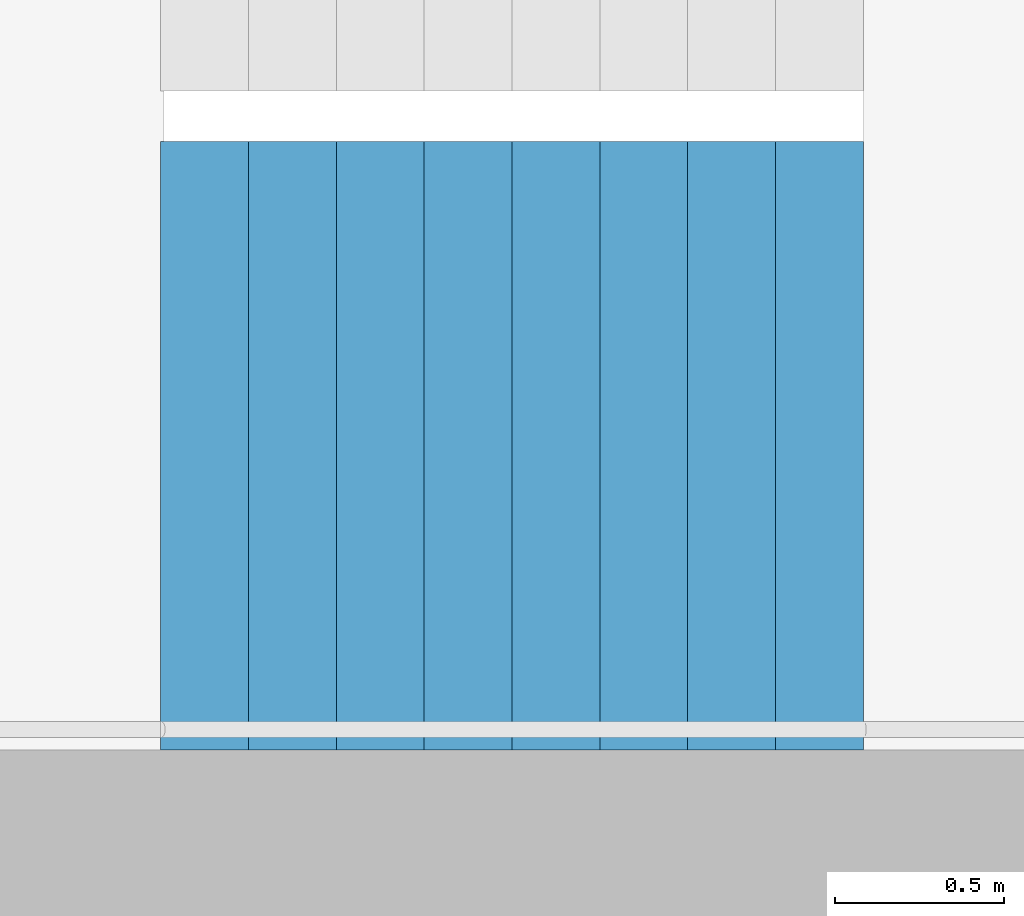
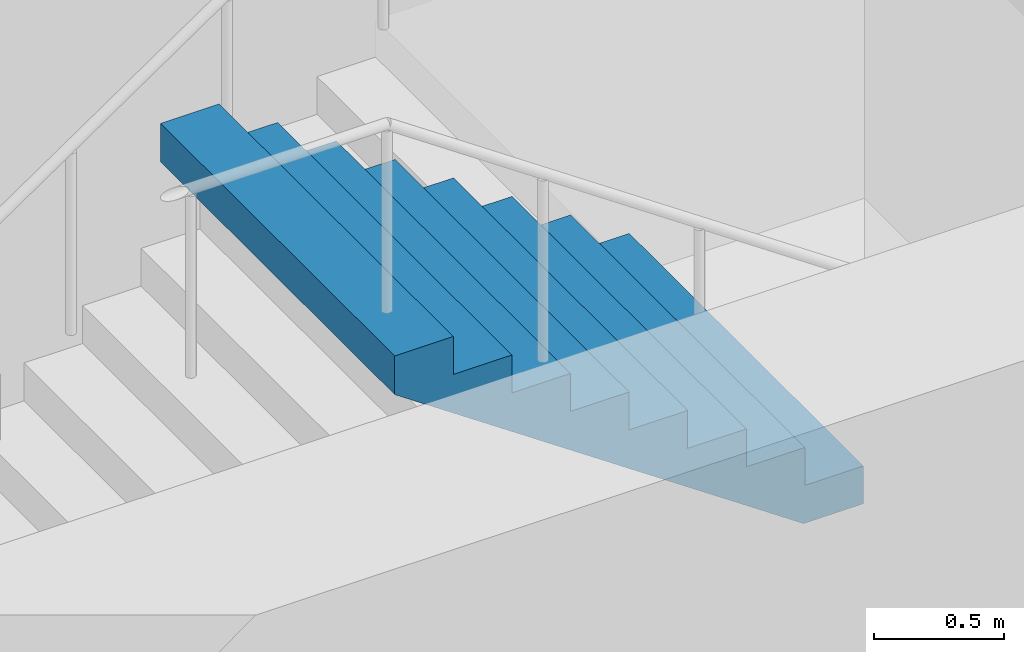
# One storey, part 22 of 26: 1 stair flight, 1 element without a shape of its own.
"""IFC4 building model written with IfcOpenShell, lengths in metres."""

from ifc_helpers import new_model, si_unit, direction, frame, origin, place, context, subcontext, project, spatial, triangles, material, type_object, element, aggregate, save


model = new_model("IFC4")

# Units and contexts
model_context = context("Model", 3, precision=1e-05, world=origin(), true_north=direction((0.0, 1.0)))
body_context = subcontext(model_context, "Body", "Model", "MODEL_VIEW")
ifc_project = project(units=[si_unit("LENGTHUNIT", "METRE"), si_unit("AREAUNIT", "SQUARE_METRE"), si_unit("VOLUMEUNIT", "CUBIC_METRE"), si_unit("PLANEANGLEUNIT", "RADIAN"), si_unit("MASSUNIT", "GRAM", prefix="KILO")], contexts=[model_context])

# Site, building, storey
site_placement = place(None, origin())
site = spatial("IfcSite", under=ifc_project, at=site_placement, CompositionType="ELEMENT")
building_placement = place(site_placement, origin())
building = spatial("IfcBuilding", under=site, at=building_placement, Name="Hakoniwa Tower and Hamabe Station Hall", CompositionType="ELEMENT")
storey_placement = place(building_placement, frame((0.0, 0.0, 215.39990234375)))
storey = spatial("IfcBuildingStorey", under=building, at=storey_placement, Name="L61", CompositionType="ELEMENT", Elevation=215.39990234375)

# Stair, stair flight
ifc_material_1 = material(Name="Concrete C40", Category="concrete")
stair_type = type_object("IfcStairType", Name="ESCAPE STAIR 1800", PredefinedType="HALF_TURN_STAIR", material=ifc_material_1)
stair_placement = place(storey_placement, origin())
stair = element("IfcStair", 1, at=stair_placement, inside=storey, type_object=stair_type, Name="Escape stair ST-4 L61", PredefinedType="HALF_TURN_STAIR")
ifc_material_2 = material(Name="Concrete C40", Category="concrete")
stair_flight_type = type_object("IfcStairFlightType", Name="STAIR FLIGHT 1800", PredefinedType="STRAIGHT", material=ifc_material_2)
stair_flight_placement = place(storey_placement, frame((25.47998046875, -6.60009765625, 1.60009765625), z_axis=(0.0, 0.0, 1.0), x_axis=(-1.0, 0.0, 0.0)))
stair_flight = element("IfcStairFlight", 2, at=stair_flight_placement, type_object=stair_flight_type, Name="ST-4 flight 2", NumberOfRisers=9, NumberOfTreads=8, PredefinedType="STRAIGHT", RiserHeight=0.177777778, TreadLength=0.26, context=body_context, shape_type="Tessellation", body=[
    triangles([(0.0, 0.89990234375, 0.0), (0.260009765625, 0.89990234375, 0.0), (0.265625, 0.89990234375, 0.0), (0.52001953125, 0.89990234375, 0.174072265625), (0.780029296875, 0.89990234375, 0.351806640625), (1.0400390625, 0.89990234375, 0.529541015625), (1.300048828125, 0.89990234375, 0.707275390625), (1.56005859375, 0.89990234375, 0.885009765625), (1.820068359375, 0.89990234375, 1.062744140625), (2.080078125, 0.89990234375, 1.24072265625), (2.080078125, 0.89990234375, 1.422119140625), (1.820068359375, 0.89990234375, 1.422119140625), (1.820068359375, 0.89990234375, 1.244384765625), (1.56005859375, 0.89990234375, 1.244384765625), (1.56005859375, 0.89990234375, 1.066650390625), (1.300048828125, 0.89990234375, 1.066650390625), (1.300048828125, 0.89990234375, 0.888916015625), (1.0400390625, 0.89990234375, 0.888916015625), (1.0400390625, 0.89990234375, 0.711181640625), (0.780029296875, 0.89990234375, 0.711181640625), (0.780029296875, 0.89990234375, 0.533447265625), (0.52001953125, 0.89990234375, 0.533447265625), (0.52001953125, 0.89990234375, 0.35546875), (0.265625, 0.89990234375, 0.35546875), (0.260009765625, 0.89990234375, 0.35546875), (0.260009765625, 0.89990234375, 0.177734375), (0.0, 0.89990234375, 0.177734375), (0.0, 0.06005859375, 0.0), (0.260009765625, 0.06005859375, 0.0), (0.265625, 0.06005859375, 0.0), (0.52001953125, 0.06005859375, 0.174072265625), (0.780029296875, 0.06005859375, 0.351806640625), (1.0400390625, 0.06005859375, 0.529541015625), (1.300048828125, 0.06005859375, 0.707275390625), (1.56005859375, 0.06005859375, 0.885009765625), (1.820068359375, 0.06005859375, 1.062744140625), (2.080078125, 0.06005859375, 1.24072265625), (2.080078125, 0.06005859375, 1.422119140625), (1.820068359375, 0.06005859375, 1.422119140625), (1.820068359375, 0.06005859375, 1.244384765625), (1.56005859375, 0.06005859375, 1.244384765625), (1.56005859375, 0.06005859375, 1.066650390625), (1.300048828125, 0.06005859375, 1.066650390625), (1.300048828125, 0.06005859375, 0.888916015625), (1.0400390625, 0.06005859375, 0.888916015625), (1.0400390625, 0.06005859375, 0.711181640625), (0.780029296875, 0.06005859375, 0.711181640625), (0.780029296875, 0.06005859375, 0.533447265625), (0.52001953125, 0.06005859375, 0.533447265625), (0.52001953125, 0.06005859375, 0.35546875), (0.265625, 0.06005859375, 0.35546875), (0.260009765625, 0.06005859375, 0.35546875), (0.260009765625, 0.06005859375, 0.177734375), (0.0, 0.06005859375, 0.177734375), (0.0, 0.04296875, 0.0), (0.260009765625, 0.04296875, 0.0), (0.265625, 0.04296875, 0.0), (0.52001953125, 0.04296875, 0.174072265625), (0.780029296875, 0.04296875, 0.351806640625), (1.0400390625, 0.04296875, 0.529541015625), (1.300048828125, 0.04296875, 0.707275390625), (1.56005859375, 0.04296875, 0.885009765625), (1.820068359375, 0.04296875, 1.062744140625), (2.080078125, 0.04296875, 1.24072265625), (2.080078125, 0.04296875, 1.422119140625), (1.820068359375, 0.04296875, 1.422119140625), (1.820068359375, 0.04296875, 1.244384765625), (1.56005859375, 0.04296875, 1.244384765625), (1.56005859375, 0.04296875, 1.066650390625), (1.300048828125, 0.04296875, 1.066650390625), (1.300048828125, 0.04296875, 0.888916015625), (1.0400390625, 0.04296875, 0.888916015625), (1.0400390625, 0.04296875, 0.711181640625), (0.780029296875, 0.04296875, 0.711181640625), (0.780029296875, 0.04296875, 0.533447265625), (0.52001953125, 0.04296875, 0.533447265625), (0.52001953125, 0.04296875, 0.35546875), (0.265625, 0.04296875, 0.35546875), (0.260009765625, 0.04296875, 0.35546875), (0.260009765625, 0.04296875, 0.177734375), (0.0, 0.04296875, 0.177734375), (0.0, 0.025634765625, 0.0), (0.260009765625, 0.025634765625, 0.0), (0.265625, 0.025634765625, 0.0), (0.52001953125, 0.025634765625, 0.174072265625), (0.780029296875, 0.025634765625, 0.351806640625), (1.0400390625, 0.025634765625, 0.529541015625), (1.300048828125, 0.025634765625, 0.707275390625), (1.56005859375, 0.025634765625, 0.885009765625), (1.820068359375, 0.025634765625, 1.062744140625), (2.080078125, 0.025634765625, 1.24072265625), (2.080078125, 0.025634765625, 1.422119140625), (1.820068359375, 0.025634765625, 1.422119140625), (1.820068359375, 0.025634765625, 1.244384765625), (1.56005859375, 0.025634765625, 1.244384765625), (1.56005859375, 0.025634765625, 1.066650390625), (1.300048828125, 0.025634765625, 1.066650390625), (1.300048828125, 0.025634765625, 0.888916015625), (1.0400390625, 0.025634765625, 0.888916015625), (1.0400390625, 0.025634765625, 0.711181640625), (0.780029296875, 0.025634765625, 0.711181640625), (0.780029296875, 0.025634765625, 0.533447265625), (0.52001953125, 0.025634765625, 0.533447265625), (0.52001953125, 0.025634765625, 0.35546875), (0.265625, 0.025634765625, 0.35546875), (0.260009765625, 0.025634765625, 0.35546875), (0.260009765625, 0.025634765625, 0.177734375), (0.0, 0.025634765625, 0.177734375), (0.0, 0.008544921875, 0.0), (0.260009765625, 0.008544921875, 0.0), (0.265625, 0.008544921875, 0.0), (0.52001953125, 0.008544921875, 0.174072265625), (0.780029296875, 0.008544921875, 0.351806640625), (1.0400390625, 0.008544921875, 0.529541015625), (1.300048828125, 0.008544921875, 0.707275390625), (1.56005859375, 0.008544921875, 0.885009765625), (1.820068359375, 0.008544921875, 1.062744140625), (2.080078125, 0.008544921875, 1.24072265625), (2.080078125, 0.008544921875, 1.422119140625), (1.820068359375, 0.008544921875, 1.422119140625), (1.820068359375, 0.008544921875, 1.244384765625), (1.56005859375, 0.008544921875, 1.244384765625), (1.56005859375, 0.008544921875, 1.066650390625), (1.300048828125, 0.008544921875, 1.066650390625), (1.300048828125, 0.008544921875, 0.888916015625), (1.0400390625, 0.008544921875, 0.888916015625), (1.0400390625, 0.008544921875, 0.711181640625), (0.780029296875, 0.008544921875, 0.711181640625), (0.780029296875, 0.008544921875, 0.533447265625), (0.52001953125, 0.008544921875, 0.533447265625), (0.52001953125, 0.008544921875, 0.35546875), (0.265625, 0.008544921875, 0.35546875), (0.260009765625, 0.008544921875, 0.35546875), (0.260009765625, 0.008544921875, 0.177734375), (0.0, 0.008544921875, 0.177734375), (0.0, -0.008544921875, 0.0), (0.260009765625, -0.008544921875, 0.0), (0.265625, -0.008544921875, 0.0), (0.52001953125, -0.008544921875, 0.174072265625), (0.780029296875, -0.008544921875, 0.351806640625), (1.0400390625, -0.008544921875, 0.529541015625), (1.300048828125, -0.008544921875, 0.707275390625), (1.56005859375, -0.008544921875, 0.885009765625), (1.820068359375, -0.008544921875, 1.062744140625), (2.080078125, -0.008544921875, 1.24072265625), (2.080078125, -0.008544921875, 1.422119140625), (1.820068359375, -0.008544921875, 1.422119140625), (1.820068359375, -0.008544921875, 1.244384765625), (1.56005859375, -0.008544921875, 1.244384765625), (1.56005859375, -0.008544921875, 1.066650390625), (1.300048828125, -0.008544921875, 1.066650390625), (1.300048828125, -0.008544921875, 0.888916015625), (1.0400390625, -0.008544921875, 0.888916015625), (1.0400390625, -0.008544921875, 0.711181640625), (0.780029296875, -0.008544921875, 0.711181640625), (0.780029296875, -0.008544921875, 0.533447265625), (0.52001953125, -0.008544921875, 0.533447265625), (0.52001953125, -0.008544921875, 0.35546875), (0.265625, -0.008544921875, 0.35546875), (0.260009765625, -0.008544921875, 0.35546875), (0.260009765625, -0.008544921875, 0.177734375), (0.0, -0.008544921875, 0.177734375), (0.0, -0.025634765625, 0.0), (0.260009765625, -0.025634765625, 0.0), (0.265625, -0.025634765625, 0.0), (0.52001953125, -0.025634765625, 0.174072265625), (0.780029296875, -0.025634765625, 0.351806640625), (1.0400390625, -0.025634765625, 0.529541015625), (1.300048828125, -0.025634765625, 0.707275390625), (1.56005859375, -0.025634765625, 0.885009765625), (1.820068359375, -0.025634765625, 1.062744140625), (2.080078125, -0.025634765625, 1.24072265625), (2.080078125, -0.025634765625, 1.422119140625), (1.820068359375, -0.025634765625, 1.422119140625), (1.820068359375, -0.025634765625, 1.244384765625), (1.56005859375, -0.025634765625, 1.244384765625), (1.56005859375, -0.025634765625, 1.066650390625), (1.300048828125, -0.025634765625, 1.066650390625), (1.300048828125, -0.025634765625, 0.888916015625), (1.0400390625, -0.025634765625, 0.888916015625), (1.0400390625, -0.025634765625, 0.711181640625), (0.780029296875, -0.025634765625, 0.711181640625), (0.780029296875, -0.025634765625, 0.533447265625), (0.52001953125, -0.025634765625, 0.533447265625), (0.52001953125, -0.025634765625, 0.35546875), (0.265625, -0.025634765625, 0.35546875), (0.260009765625, -0.025634765625, 0.35546875), (0.260009765625, -0.025634765625, 0.177734375), (0.0, -0.025634765625, 0.177734375), (0.0, -0.04296875, 0.0), (0.260009765625, -0.04296875, 0.0), (0.265625, -0.04296875, 0.0), (0.52001953125, -0.04296875, 0.174072265625), (0.780029296875, -0.04296875, 0.351806640625), (1.0400390625, -0.04296875, 0.529541015625), (1.300048828125, -0.04296875, 0.707275390625), (1.56005859375, -0.04296875, 0.885009765625), (1.820068359375, -0.04296875, 1.062744140625), (2.080078125, -0.04296875, 1.24072265625), (2.080078125, -0.04296875, 1.422119140625), (1.820068359375, -0.04296875, 1.422119140625), (1.820068359375, -0.04296875, 1.244384765625), (1.56005859375, -0.04296875, 1.244384765625), (1.56005859375, -0.04296875, 1.066650390625), (1.300048828125, -0.04296875, 1.066650390625), (1.300048828125, -0.04296875, 0.888916015625), (1.0400390625, -0.04296875, 0.888916015625), (1.0400390625, -0.04296875, 0.711181640625), (0.780029296875, -0.04296875, 0.711181640625), (0.780029296875, -0.04296875, 0.533447265625), (0.52001953125, -0.04296875, 0.533447265625), (0.52001953125, -0.04296875, 0.35546875), (0.265625, -0.04296875, 0.35546875), (0.260009765625, -0.04296875, 0.35546875), (0.260009765625, -0.04296875, 0.177734375), (0.0, -0.04296875, 0.177734375), (0.0, -0.06005859375, 0.0), (0.260009765625, -0.06005859375, 0.0), (0.265625, -0.06005859375, 0.0), (0.52001953125, -0.06005859375, 0.174072265625), (0.780029296875, -0.06005859375, 0.351806640625), (1.0400390625, -0.06005859375, 0.529541015625), (1.300048828125, -0.06005859375, 0.707275390625), (1.56005859375, -0.06005859375, 0.885009765625), (1.820068359375, -0.06005859375, 1.062744140625), (2.080078125, -0.06005859375, 1.24072265625), (2.080078125, -0.06005859375, 1.422119140625), (1.820068359375, -0.06005859375, 1.422119140625), (1.820068359375, -0.06005859375, 1.244384765625), (1.56005859375, -0.06005859375, 1.244384765625), (1.56005859375, -0.06005859375, 1.066650390625), (1.300048828125, -0.06005859375, 1.066650390625), (1.300048828125, -0.06005859375, 0.888916015625), (1.0400390625, -0.06005859375, 0.888916015625), (1.0400390625, -0.06005859375, 0.711181640625), (0.780029296875, -0.06005859375, 0.711181640625), (0.780029296875, -0.06005859375, 0.533447265625), (0.52001953125, -0.06005859375, 0.533447265625), (0.52001953125, -0.06005859375, 0.35546875), (0.265625, -0.06005859375, 0.35546875), (0.260009765625, -0.06005859375, 0.35546875), (0.260009765625, -0.06005859375, 0.177734375), (0.0, -0.06005859375, 0.177734375), (0.0, -0.89990234375, 0.0), (0.260009765625, -0.89990234375, 0.0), (0.265625, -0.89990234375, 0.0), (0.52001953125, -0.89990234375, 0.174072265625), (0.780029296875, -0.89990234375, 0.351806640625), (1.0400390625, -0.89990234375, 0.529541015625), (1.300048828125, -0.89990234375, 0.707275390625), (1.56005859375, -0.89990234375, 0.885009765625), (1.820068359375, -0.89990234375, 1.062744140625), (2.080078125, -0.89990234375, 1.24072265625), (2.080078125, -0.89990234375, 1.422119140625), (1.820068359375, -0.89990234375, 1.422119140625), (1.820068359375, -0.89990234375, 1.244384765625), (1.56005859375, -0.89990234375, 1.244384765625), (1.56005859375, -0.89990234375, 1.066650390625), (1.300048828125, -0.89990234375, 1.066650390625), (1.300048828125, -0.89990234375, 0.888916015625), (1.0400390625, -0.89990234375, 0.888916015625), (1.0400390625, -0.89990234375, 0.711181640625), (0.780029296875, -0.89990234375, 0.711181640625), (0.780029296875, -0.89990234375, 0.533447265625), (0.52001953125, -0.89990234375, 0.533447265625), (0.52001953125, -0.89990234375, 0.35546875), (0.265625, -0.89990234375, 0.35546875), (0.260009765625, -0.89990234375, 0.35546875), (0.260009765625, -0.89990234375, 0.177734375), (0.0, -0.89990234375, 0.177734375)], [[2, 27, 26], [245, 269, 270], [2, 1, 27], [245, 270, 244], [3, 25, 24], [246, 267, 268], [3, 26, 25], [246, 268, 269], [3, 2, 26], [246, 269, 245], [4, 24, 23], [247, 266, 267], [4, 3, 24], [247, 267, 246], [5, 22, 21], [248, 264, 265], [5, 23, 22], [248, 265, 266], [5, 4, 23], [248, 266, 247], [6, 20, 19], [249, 262, 263], [6, 21, 20], [249, 263, 264], [6, 5, 21], [249, 264, 248], [7, 18, 17], [250, 260, 261], [7, 19, 18], [250, 261, 262], [7, 6, 19], [250, 262, 249], [8, 16, 15], [251, 258, 259], [8, 17, 16], [251, 259, 260], [8, 7, 17], [251, 260, 250], [9, 14, 13], [252, 256, 257], [9, 15, 14], [252, 257, 258], [9, 8, 15], [252, 258, 251], [10, 12, 11], [253, 254, 255], [10, 13, 12], [253, 255, 256], [10, 9, 13], [253, 256, 252], [1, 2, 29], [1, 29, 28], [28, 29, 56], [28, 56, 55], [55, 56, 83], [55, 83, 82], [82, 83, 110], [82, 110, 109], [109, 110, 137], [109, 137, 136], [136, 137, 164], [136, 164, 163], [163, 164, 191], [163, 191, 190], [190, 191, 218], [190, 218, 217], [217, 218, 245], [217, 245, 244], [2, 3, 30], [2, 30, 29], [29, 30, 57], [29, 57, 56], [56, 57, 84], [56, 84, 83], [83, 84, 111], [83, 111, 110], [110, 111, 138], [110, 138, 137], [137, 138, 165], [137, 165, 164], [164, 165, 192], [164, 192, 191], [191, 192, 219], [191, 219, 218], [218, 219, 246], [218, 246, 245], [3, 4, 31], [3, 31, 30], [30, 31, 58], [30, 58, 57], [57, 58, 85], [57, 85, 84], [84, 85, 112], [84, 112, 111], [111, 112, 139], [111, 139, 138], [138, 139, 166], [138, 166, 165], [165, 166, 193], [165, 193, 192], [192, 193, 220], [192, 220, 219], [219, 220, 247], [219, 247, 246], [4, 5, 32], [4, 32, 31], [31, 32, 59], [31, 59, 58], [58, 59, 86], [58, 86, 85], [85, 86, 113], [85, 113, 112], [112, 113, 140], [112, 140, 139], [139, 140, 167], [139, 167, 166], [166, 167, 194], [166, 194, 193], [193, 194, 221], [193, 221, 220], [220, 221, 248], [220, 248, 247], [5, 6, 33], [5, 33, 32], [32, 33, 60], [32, 60, 59], [59, 60, 87], [59, 87, 86], [86, 87, 114], [86, 114, 113], [113, 114, 141], [113, 141, 140], [140, 141, 168], [140, 168, 167], [167, 168, 195], [167, 195, 194], [194, 195, 222], [194, 222, 221], [221, 222, 249], [221, 249, 248], [6, 7, 34], [6, 34, 33], [33, 34, 61], [33, 61, 60], [60, 61, 88], [60, 88, 87], [87, 88, 115], [87, 115, 114], [114, 115, 142], [114, 142, 141], [141, 142, 169], [141, 169, 168], [168, 169, 196], [168, 196, 195], [195, 196, 223], [195, 223, 222], [222, 223, 250], [222, 250, 249], [7, 8, 35], [7, 35, 34], [34, 35, 62], [34, 62, 61], [61, 62, 89], [61, 89, 88], [88, 89, 116], [88, 116, 115], [115, 116, 143], [115, 143, 142], [142, 143, 170], [142, 170, 169], [169, 170, 197], [169, 197, 196], [196, 197, 224], [196, 224, 223], [223, 224, 251], [223, 251, 250], [8, 9, 36], [8, 36, 35], [35, 36, 63], [35, 63, 62], [62, 63, 90], [62, 90, 89], [89, 90, 117], [89, 117, 116], [116, 117, 144], [116, 144, 143], [143, 144, 171], [143, 171, 170], [170, 171, 198], [170, 198, 197], [197, 198, 225], [197, 225, 224], [224, 225, 252], [224, 252, 251], [9, 10, 37], [9, 37, 36], [36, 37, 64], [36, 64, 63], [63, 64, 91], [63, 91, 90], [90, 91, 118], [90, 118, 117], [117, 118, 145], [117, 145, 144], [144, 145, 172], [144, 172, 171], [171, 172, 199], [171, 199, 198], [198, 199, 226], [198, 226, 225], [225, 226, 253], [225, 253, 252], [10, 11, 38], [10, 38, 37], [37, 38, 65], [37, 65, 64], [64, 65, 92], [64, 92, 91], [91, 92, 119], [91, 119, 118], [118, 119, 146], [118, 146, 145], [145, 146, 173], [145, 173, 172], [172, 173, 200], [172, 200, 199], [199, 200, 227], [199, 227, 226], [226, 227, 254], [226, 254, 253], [11, 12, 39], [11, 39, 38], [38, 39, 66], [38, 66, 65], [65, 66, 93], [65, 93, 92], [92, 93, 120], [92, 120, 119], [119, 120, 147], [119, 147, 146], [146, 147, 174], [146, 174, 173], [173, 174, 201], [173, 201, 200], [200, 201, 228], [200, 228, 227], [227, 228, 255], [227, 255, 254], [12, 13, 40], [12, 40, 39], [39, 40, 67], [39, 67, 66], [66, 67, 94], [66, 94, 93], [93, 94, 121], [93, 121, 120], [120, 121, 148], [120, 148, 147], [147, 148, 175], [147, 175, 174], [174, 175, 202], [174, 202, 201], [201, 202, 229], [201, 229, 228], [228, 229, 256], [228, 256, 255], [13, 14, 41], [13, 41, 40], [40, 41, 68], [40, 68, 67], [67, 68, 95], [67, 95, 94], [94, 95, 122], [94, 122, 121], [121, 122, 149], [121, 149, 148], [148, 149, 176], [148, 176, 175], [175, 176, 203], [175, 203, 202], [202, 203, 230], [202, 230, 229], [229, 230, 257], [229, 257, 256], [14, 15, 42], [14, 42, 41], [41, 42, 69], [41, 69, 68], [68, 69, 96], [68, 96, 95], [95, 96, 123], [95, 123, 122], [122, 123, 150], [122, 150, 149], [149, 150, 177], [149, 177, 176], [176, 177, 204], [176, 204, 203], [203, 204, 231], [203, 231, 230], [230, 231, 258], [230, 258, 257], [15, 16, 43], [15, 43, 42], [42, 43, 70], [42, 70, 69], [69, 70, 97], [69, 97, 96], [96, 97, 124], [96, 124, 123], [123, 124, 151], [123, 151, 150], [150, 151, 178], [150, 178, 177], [177, 178, 205], [177, 205, 204], [204, 205, 232], [204, 232, 231], [231, 232, 259], [231, 259, 258], [16, 17, 44], [16, 44, 43], [43, 44, 71], [43, 71, 70], [70, 71, 98], [70, 98, 97], [97, 98, 125], [97, 125, 124], [124, 125, 152], [124, 152, 151], [151, 152, 179], [151, 179, 178], [178, 179, 206], [178, 206, 205], [205, 206, 233], [205, 233, 232], [232, 233, 260], [232, 260, 259], [17, 18, 45], [17, 45, 44], [44, 45, 72], [44, 72, 71], [71, 72, 99], [71, 99, 98], [98, 99, 126], [98, 126, 125], [125, 126, 153], [125, 153, 152], [152, 153, 180], [152, 180, 179], [179, 180, 207], [179, 207, 206], [206, 207, 234], [206, 234, 233], [233, 234, 261], [233, 261, 260], [18, 19, 46], [18, 46, 45], [45, 46, 73], [45, 73, 72], [72, 73, 100], [72, 100, 99], [99, 100, 127], [99, 127, 126], [126, 127, 154], [126, 154, 153], [153, 154, 181], [153, 181, 180], [180, 181, 208], [180, 208, 207], [207, 208, 235], [207, 235, 234], [234, 235, 262], [234, 262, 261], [19, 20, 47], [19, 47, 46], [46, 47, 74], [46, 74, 73], [73, 74, 101], [73, 101, 100], [100, 101, 128], [100, 128, 127], [127, 128, 155], [127, 155, 154], [154, 155, 182], [154, 182, 181], [181, 182, 209], [181, 209, 208], [208, 209, 236], [208, 236, 235], [235, 236, 263], [235, 263, 262], [20, 21, 48], [20, 48, 47], [47, 48, 75], [47, 75, 74], [74, 75, 102], [74, 102, 101], [101, 102, 129], [101, 129, 128], [128, 129, 156], [128, 156, 155], [155, 156, 183], [155, 183, 182], [182, 183, 210], [182, 210, 209], [209, 210, 237], [209, 237, 236], [236, 237, 264], [236, 264, 263], [21, 22, 49], [21, 49, 48], [48, 49, 76], [48, 76, 75], [75, 76, 103], [75, 103, 102], [102, 103, 130], [102, 130, 129], [129, 130, 157], [129, 157, 156], [156, 157, 184], [156, 184, 183], [183, 184, 211], [183, 211, 210], [210, 211, 238], [210, 238, 237], [237, 238, 265], [237, 265, 264], [22, 23, 50], [22, 50, 49], [49, 50, 77], [49, 77, 76], [76, 77, 104], [76, 104, 103], [103, 104, 131], [103, 131, 130], [130, 131, 158], [130, 158, 157], [157, 158, 185], [157, 185, 184], [184, 185, 212], [184, 212, 211], [211, 212, 239], [211, 239, 238], [238, 239, 266], [238, 266, 265], [23, 24, 51], [23, 51, 50], [50, 51, 78], [50, 78, 77], [77, 78, 105], [77, 105, 104], [104, 105, 132], [104, 132, 131], [131, 132, 159], [131, 159, 158], [158, 159, 186], [158, 186, 185], [185, 186, 213], [185, 213, 212], [212, 213, 240], [212, 240, 239], [239, 240, 267], [239, 267, 266], [24, 25, 52], [24, 52, 51], [51, 52, 79], [51, 79, 78], [78, 79, 106], [78, 106, 105], [105, 106, 133], [105, 133, 132], [132, 133, 160], [132, 160, 159], [159, 160, 187], [159, 187, 186], [186, 187, 214], [186, 214, 213], [213, 214, 241], [213, 241, 240], [240, 241, 268], [240, 268, 267], [25, 26, 53], [25, 53, 52], [52, 53, 80], [52, 80, 79], [79, 80, 107], [79, 107, 106], [106, 107, 134], [106, 134, 133], [133, 134, 161], [133, 161, 160], [160, 161, 188], [160, 188, 187], [187, 188, 215], [187, 215, 214], [214, 215, 242], [214, 242, 241], [241, 242, 269], [241, 269, 268], [26, 27, 54], [26, 54, 53], [53, 54, 81], [53, 81, 80], [80, 81, 108], [80, 108, 107], [107, 108, 135], [107, 135, 134], [134, 135, 162], [134, 162, 161], [161, 162, 189], [161, 189, 188], [188, 189, 216], [188, 216, 215], [215, 216, 243], [215, 243, 242], [242, 243, 270], [242, 270, 269], [27, 1, 28], [27, 28, 54], [54, 28, 55], [54, 55, 81], [81, 55, 82], [81, 82, 108], [108, 82, 109], [108, 109, 135], [135, 109, 136], [135, 136, 162], [162, 136, 163], [162, 163, 189], [189, 163, 190], [189, 190, 216], [216, 190, 217], [216, 217, 243], [243, 217, 244], [243, 244, 270]], closed=True),
])
aggregate(stair, [stair_flight])

save(model, "model.ifc")
